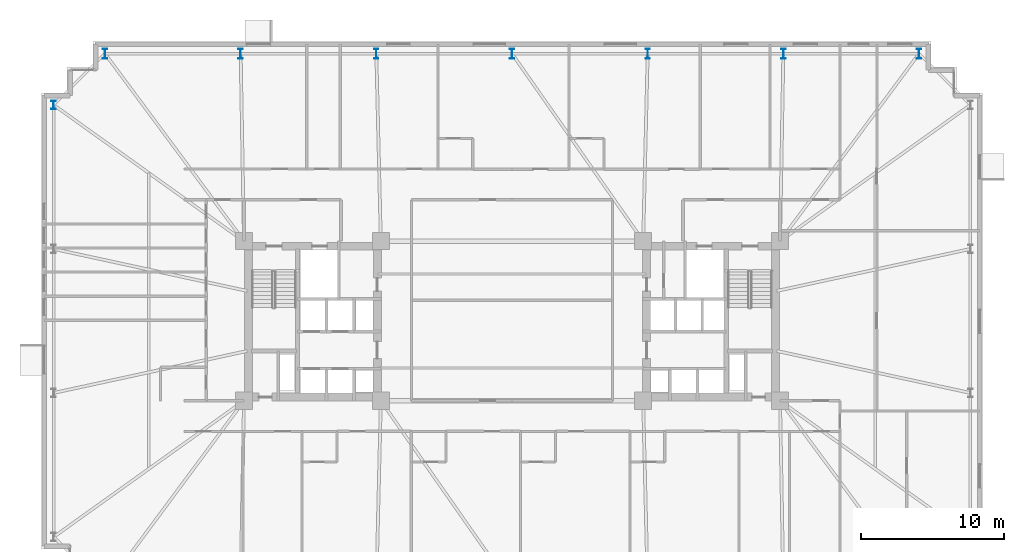
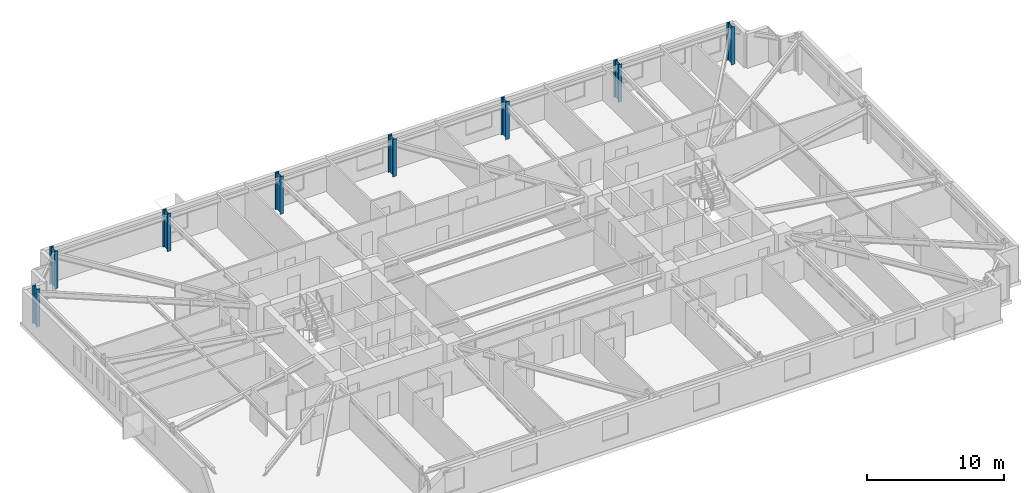
# One storey, part 2 of 21: 8 columns.
"""IFC4 building model written with IfcOpenShell, lengths in metres."""

from ifc_helpers import new_model, si_unit, direction, frame, origin, origin_2d, place, context, subcontext, project, spatial, i_section, extrude, material, material_profile, profile_set, type_object, element, save


model = new_model("IFC4")

# Units and contexts
model_context = context("Model", 3, precision=1e-05, world=origin(), true_north=direction((0.0, 1.0)))
body_context = subcontext(model_context, "Body", "Model", "MODEL_VIEW")
ifc_project = project(units=[si_unit("LENGTHUNIT", "METRE"), si_unit("AREAUNIT", "SQUARE_METRE"), si_unit("VOLUMEUNIT", "CUBIC_METRE"), si_unit("PLANEANGLEUNIT", "RADIAN"), si_unit("MASSUNIT", "GRAM", prefix="KILO")], contexts=[model_context])

# Site, building, storey
site_placement = place(None, origin())
site = spatial("IfcSite", under=ifc_project, at=site_placement, CompositionType="ELEMENT")
building_placement = place(site_placement, origin())
building = spatial("IfcBuilding", under=site, at=building_placement, Name="Qobustan Lattice House", CompositionType="ELEMENT")
storey_placement = place(building_placement, frame((0.0, 0.0, 37.050048828125)))
storey = spatial("IfcBuildingStorey", under=building, at=storey_placement, Name="L09", CompositionType="ELEMENT", Elevation=37.050048828125)

# Columns
ifc_material_1 = material(Name="Steel S460", Category="steel")
ifc_material_profile_1 = material_profile(ifc_material_1, i_section(OverallWidth=0.304931640625, OverallDepth=0.6201171875, WebThickness=0.02099609375, FlangeThickness=0.0400390625, FilletRadius=0.027099609375, at=origin_2d()), Name="HEM600")
ifc_profile_set_1 = profile_set([ifc_material_profile_1], Name="Steel S460")
column_type_1 = type_object("IfcColumnType", Name="COL-ST-HEM600", PredefinedType="COLUMN", material=ifc_profile_set_1)
column_placement = place(storey_placement, frame((-32.14990234375, 15.14990234375, 0.0), z_axis=(0.0, 0.0, 1.0), x_axis=(1.0, 0.0, 0.0)))
element("IfcColumn", 1, at=column_placement, inside=storey, type_object=column_type_1, Name="L09 B1 perimeter column W1", PredefinedType="COLUMN", context=body_context, shape_type="SweptSolid", body=[
    extrude(i_section(OverallWidth=0.304931640625, OverallDepth=0.6201171875, WebThickness=0.02099609375, FlangeThickness=0.0400390625, FilletRadius=0.027099609375, at=origin_2d()), origin(), (0.0, 0.0, 1.0), 3.349853515625),
])
ifc_material_2 = material(Name="Steel S460", Category="steel")
ifc_material_profile_2 = material_profile(ifc_material_2, i_section(OverallWidth=0.303955078125, OverallDepth=0.716064453125, WebThickness=0.02099609375, FlangeThickness=0.0400390625, FilletRadius=0.027099609375, at=origin_2d()), Name="HEM700")
ifc_profile_set_2 = profile_set([ifc_material_profile_2], Name="Steel S460")
column_type_2 = type_object("IfcColumnType", Name="COL-ST-HEM700", PredefinedType="COLUMN", material=ifc_profile_set_2)
for number, where, z_axis, x_axis, name in (
    (2, (28.550048828125, 18.75, 0.0), (0.0, 0.0, 1.0), (1.0, 0.0, 0.0), "L09 B1 perimeter column N1"),
    (3, (19.033203125, 18.75, 0.0), (0.0, 0.0, 1.0), (1.0, 0.0, 0.0), "L09 B1 perimeter column N2"),
    (4, (9.5166015625, 18.75, 0.0), (0.0, 0.0, 1.0), (1.0, 0.0, 0.0), "L09 B1 perimeter column N3"),
    (5, (0.0, 18.75, 0.0), (0.0, 0.0, 1.0), (1.0, 0.0, 0.0), "L09 B1 perimeter column N4"),
    (6, (-9.5166015625, 18.75, 0.0), (0.0, 0.0, 1.0), (1.0, 0.0, 0.0), "L09 B1 perimeter column N5"),
    (7, (-19.033203125, 18.75, 0.0), (0.0, 0.0, 1.0), (1.0, 0.0, 0.0), "L09 B1 perimeter column N6"),
    (8, (-28.550048828125, 18.75, 0.0), (0.0, 0.0, 1.0), (1.0, 0.0, 0.0), "L09 B1 perimeter column N7"),
):
    element("IfcColumn", number, at=place(storey_placement, frame(where, z_axis=z_axis, x_axis=x_axis)), inside=storey, type_object=column_type_2, Name=name, PredefinedType="COLUMN", context=body_context, shape_type="SweptSolid", body=[
        extrude(i_section(OverallWidth=0.303955078125, OverallDepth=0.716064453125, WebThickness=0.02099609375, FlangeThickness=0.0400390625, FilletRadius=0.027099609375, at=origin_2d()), origin(), (0.0, 0.0, 1.0), 3.349853515625),
    ])

save(model, "model.ifc")
